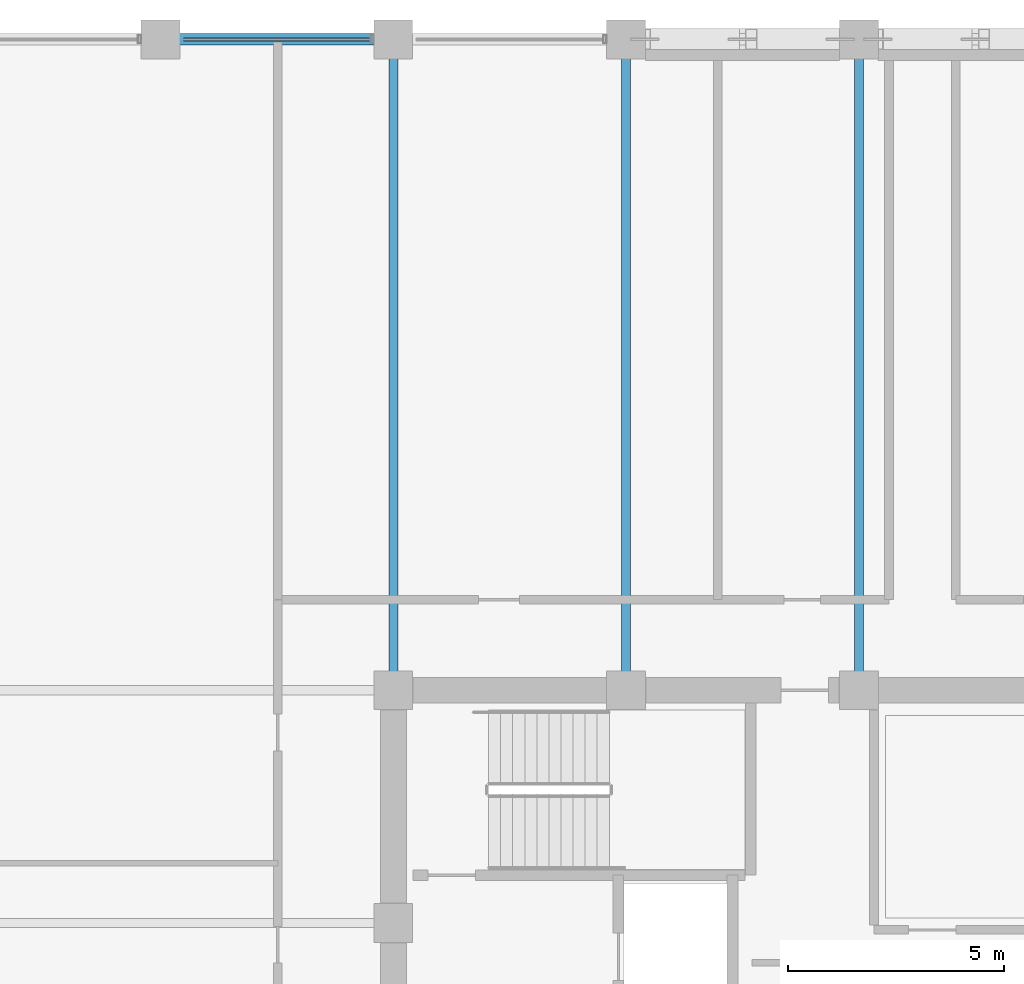
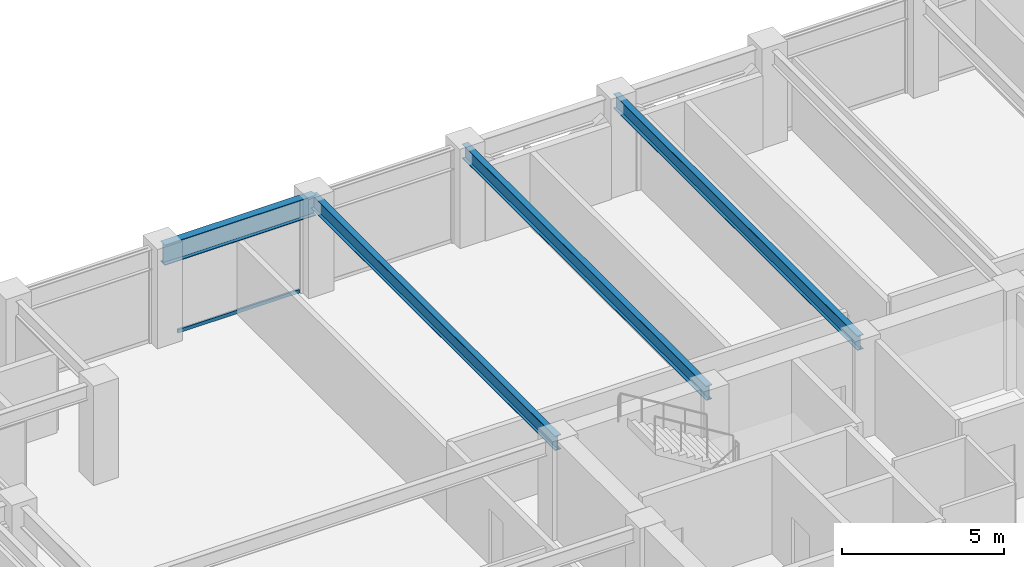
# One storey, part 16 of 28: 4 beams, 1 member, 1 element without a shape of its own.
"""IFC4 building model written with IfcOpenShell, lengths in metres."""

import ifcopenshell
import ifcopenshell.guid

model = None  # the IFC model being written
_history = None  # IfcOwnerHistory: only IFC2X3 demands one
_inside = {}  # id of a spatial element -> (the spatial element, [elements in it])
_under = {}  # id of a project, library or spatial element -> (it, [spatial elements below it])
_declared = {}  # id of a project -> (the project, [libraries it declares])
_typed = {}  # id of a type object -> (the type object, [elements of that type])
_made_of = {}  # id of a material, layer set ... -> (it, [elements and type objects made of it])


def new_model(schema):
    """Start an empty IFC model of exactly this schema.

    Asked for "IFC4X3", IfcOpenShell would pick the latest addendum, in which some entities
    have other attributes; the version numbers below select the first issue.
    IFC2X3 requires an IfcOwnerHistory on every rooted entity: one is made here for all.
    """
    global model, _history
    if schema == "IFC4X3":
        model = ifcopenshell.file(schema_version=(4, 3, 0, 0))
    else:
        model = ifcopenshell.file(schema=schema)
    _inside.clear()
    _under.clear()
    _declared.clear()
    _typed.clear()
    _made_of.clear()
    _history = None
    if model.schema == "IFC2X3":
        org = make("IfcOrganization", Name="unknown")
        user = make(
            "IfcPersonAndOrganization",
            ThePerson=make("IfcPerson", FamilyName="unknown"),
            TheOrganization=org,
        )
        app = make(
            "IfcApplication",
            ApplicationDeveloper=org,
            Version="unknown",
            ApplicationFullName="unknown",
            ApplicationIdentifier="unknown",
        )
        _history = make(
            "IfcOwnerHistory",
            OwningUser=user,
            OwningApplication=app,
            ChangeAction="ADDED",
            CreationDate=0,
        )
    return model


def make(cls, **values):
    """One entity of the class cls with the attributes given. An attribute that is None is left unset."""
    return model.create_entity(
        cls, **{name: value for name, value in values.items() if value is not None}
    )


def rooted(cls, **values):
    """An entity with a GlobalId (a new one), such as an element, a storey or a relation."""
    return make(cls, GlobalId=ifcopenshell.guid.new(), OwnerHistory=_history, **values)


def si_unit(unit_type, name, prefix=None):
    """IfcSIUnit, for example si_unit("LENGTHUNIT", "METRE", prefix="MILLI")."""
    return make("IfcSIUnit", UnitType=unit_type, Prefix=prefix, Name=name)


def assignment(units):
    """IfcUnitAssignment: the units of a project."""
    return None if units is None else make("IfcUnitAssignment", Units=units)


def point(xyz):
    """IfcCartesianPoint."""
    return None if xyz is None else make("IfcCartesianPoint", Coordinates=xyz)


def direction(xyz):
    """IfcDirection."""
    return None if xyz is None else make("IfcDirection", DirectionRatios=xyz)


def frame(location, z_axis=None, x_axis=None):
    """IfcAxis2Placement3D, a coordinate frame: its origin and axes. An axis left out is left unset."""
    return make(
        "IfcAxis2Placement3D",
        Location=point(location),
        Axis=direction(z_axis),
        RefDirection=direction(x_axis),
    )


def frame_2d(location, x_axis=None):
    """IfcAxis2Placement2D, a coordinate frame in the plane: its origin and x axis."""
    return make(
        "IfcAxis2Placement2D", Location=point(location), RefDirection=direction(x_axis)
    )


def origin():
    """The frame at (0, 0, 0) with its axes left unset."""
    return frame((0.0, 0.0, 0.0))


def origin_2d():
    """The frame at (0, 0) in the plane with its x axis left unset."""
    return frame_2d((0.0, 0.0))


def place(relative_to, where):
    """IfcLocalPlacement: puts the frame where relative to a parent placement (None: the world)."""
    return make(
        "IfcLocalPlacement", PlacementRelTo=relative_to, RelativePlacement=where
    )


def context(
    kind, dimensions, precision=None, world=None, true_north=None, identifier=None
):
    """IfcGeometricRepresentationContext, for example the 3D "Model" context."""
    return make(
        "IfcGeometricRepresentationContext",
        ContextIdentifier=identifier,
        ContextType=kind,
        CoordinateSpaceDimension=dimensions,
        Precision=precision,
        WorldCoordinateSystem=world,
        TrueNorth=true_north,
    )


def subcontext(parent, identifier, kind, view, scale=None):
    """IfcGeometricRepresentationSubContext, for example "Body" below "Model"."""
    return make(
        "IfcGeometricRepresentationSubContext",
        ContextIdentifier=identifier,
        ContextType=kind,
        ParentContext=parent,
        TargetScale=scale,
        TargetView=view,
    )


def project(units=None, contexts=None):
    """IfcProject with its units and contexts."""
    return rooted(
        "IfcProject",
        Name="project",
        RepresentationContexts=contexts,
        UnitsInContext=assignment(units),
    )


def spatial(cls, under=None, at=None, **own):
    """A site, building, storey or space (cls), placed at a placement, below another one or the project."""
    s = rooted(cls, ObjectPlacement=at, **own)
    if under is not None:
        _under.setdefault(under.id(), (under, []))[1].append(s)
    return s


def profile(cls, at=None, kind="AREA", **sizes):
    """A parametric profile (cls). Its sizes go by their IFC names, for example OverallWidth=200.0."""
    return make(cls, ProfileType=kind, Position=at, **sizes)


def hollow_rectangle(**sizes):
    """IfcRectangleHollowProfileDef."""
    return profile("IfcRectangleHollowProfileDef", **sizes)


def i_section(**sizes):
    """IfcIShapeProfileDef."""
    return profile("IfcIShapeProfileDef", **sizes)


def extrude(swept, where, along, depth):
    """IfcExtrudedAreaSolid: the profile swept, set in the frame where, extruded along a direction by depth."""
    return make(
        "IfcExtrudedAreaSolid",
        SweptArea=swept,
        Position=where,
        ExtrudedDirection=direction(along),
        Depth=depth,
    )


def shape(context_of_items, identifier, shape_type, items):
    """IfcShapeRepresentation: the items that make up one representation, for example the "Body"."""
    return make(
        "IfcShapeRepresentation",
        ContextOfItems=context_of_items,
        RepresentationIdentifier=identifier,
        RepresentationType=shape_type,
        Items=items,
    )


def material(Name=None, Category=None):
    """IfcMaterial."""
    return make("IfcMaterial", Name=Name, Category=Category)


def layer(
    of_material, thickness, ventilated=None, Name=None, Category=None, Priority=None
):
    """IfcMaterialLayer: one layer of a wall or slab, of a material (None: an air gap)."""
    return make(
        "IfcMaterialLayer",
        Material=of_material,
        LayerThickness=thickness,
        IsVentilated=ventilated,
        Name=Name,
        Category=Category,
        Priority=Priority,
    )


def layer_set(layers, Name=None):
    """IfcMaterialLayerSet."""
    return make("IfcMaterialLayerSet", MaterialLayers=layers, LayerSetName=Name)


def material_profile(
    of_material, cross_section, Name=None, Category=None, Priority=None
):
    """IfcMaterialProfile: a cross section and its material."""
    return make(
        "IfcMaterialProfile",
        Name=Name,
        Material=of_material,
        Profile=cross_section,
        Priority=Priority,
        Category=Category,
    )


def profile_set(profiles, Name=None, composite=None):
    """IfcMaterialProfileSet."""
    return make(
        "IfcMaterialProfileSet",
        Name=Name,
        MaterialProfiles=profiles,
        CompositeProfile=composite,
    )


def made_of(thing, what):
    """Note that an element or type object is made of a material, layer set ...; save() writes the relation."""
    if what is not None:
        _made_of.setdefault(what.id(), (what, []))[1].append(thing)
    return thing


def type_object(cls, material=None, **own):
    """A type object (cls), such as IfcWallType, which elements share."""
    return made_of(rooted(cls, **own), material)


def element(
    cls,
    number,
    at=None,
    inside=None,
    cuts=None,
    type_object=None,
    material=None,
    context=None,
    identifier="Body",
    shape_type=None,
    held_by="IfcProductDefinitionShape",
    body=None,
    shapes=None,
    **own,
):
    """One element of the class cls, such as IfcWall. Its Tag is "e" and its number.

    at: its placement. inside: the storey or other place that contains it. cuts: it is an
    opening in that element (IfcRelVoidsElement). A single representation is given by context,
    identifier, shape_type and body (its items); several are given by shapes. held_by: the class
    of the entity that holds the representations. save() writes the other relations.
    """
    e = rooted(cls, Tag="e%d" % number, ObjectPlacement=at, **own)
    if body is not None:
        shapes = [shape(context, identifier, shape_type, body)]
    if shapes is not None:
        e.Representation = make(held_by, Representations=shapes)
    if inside is not None:
        _inside.setdefault(inside.id(), (inside, []))[1].append(e)
    if cuts is not None:
        rooted(
            "IfcRelVoidsElement", RelatingBuildingElement=cuts, RelatedOpeningElement=e
        )
    if type_object is not None:
        _typed.setdefault(type_object.id(), (type_object, []))[1].append(e)
    return made_of(e, material)


def aggregate(whole, parts):
    """IfcRelAggregates: a whole, such as a stair, and the parts it consists of."""
    return rooted("IfcRelAggregates", RelatingObject=whole, RelatedObjects=parts)


def save(model, path):
    """Write the relations noted so far, then the file.

    IfcRelAggregates (storeys below a building ...), IfcRelContainedInSpatialStructure (elements
    in a storey), IfcRelDefinesByType, IfcRelAssociatesMaterial and IfcRelDeclares: one each for
    every whole, place, type object, material and project.
    """
    for whole, parts in _under.values():
        aggregate(whole, parts)
    for where, things in _inside.values():
        rooted(
            "IfcRelContainedInSpatialStructure",
            RelatedElements=things,
            RelatingStructure=where,
        )
    for kind, things in _typed.values():
        rooted("IfcRelDefinesByType", RelatedObjects=things, RelatingType=kind)
    for what, things in _made_of.values():
        rooted("IfcRelAssociatesMaterial", RelatedObjects=things, RelatingMaterial=what)
    for by, libraries in _declared.values():
        rooted("IfcRelDeclares", RelatingContext=by, RelatedDefinitions=libraries)
    model.write(path)


model = new_model("IFC4")

# Units and contexts
model_context = context("Model", 3, precision=1e-05, world=origin(), true_north=direction((0.0, 1.0)))
body_context = subcontext(model_context, "Body", "Model", "MODEL_VIEW")
ifc_project = project(units=[si_unit("LENGTHUNIT", "METRE"), si_unit("AREAUNIT", "SQUARE_METRE"), si_unit("VOLUMEUNIT", "CUBIC_METRE"), si_unit("PLANEANGLEUNIT", "RADIAN"), si_unit("MASSUNIT", "GRAM", prefix="KILO")], contexts=[model_context])

# Site, building, storey
site_placement = place(None, origin())
site = spatial("IfcSite", under=ifc_project, at=site_placement, CompositionType="ELEMENT")
building_placement = place(site_placement, origin())
building = spatial("IfcBuilding", under=site, at=building_placement, Name="Surkhivell Harbour Commons", CompositionType="ELEMENT")
storey_placement = place(building_placement, frame((0.0, 0.0, 182.25)))
storey = spatial("IfcBuildingStorey", under=building, at=storey_placement, Name="L47", CompositionType="ELEMENT", Elevation=182.25)

# Beams
ifc_material_1 = material(Name="Steel S355", Category="steel")
ifc_material_profile_1 = material_profile(ifc_material_1, i_section(OverallWidth=0.2119140625, OverallDepth=0.5439453125, WebThickness=0.0126953125, FlangeThickness=0.021240234375, at=origin_2d()), Name="UB533x210x122")
ifc_profile_set_1 = profile_set([ifc_material_profile_1], Name="Steel S355")
beam_type_1 = type_object("IfcBeamType", Name="BM-GRD-533A", PredefinedType="BEAM", material=ifc_profile_set_1)
for number, where, z_axis, x_axis, name in (
    (1, (-10.800048828125, 10.800048828125, 3.298095703125), (0.0, 1.0, 0.0), (-1.0, 0.0, 0.0), "L47 Floor Girder (-10.8,10.8)"),
    (2, (-5.39990234375, 10.800048828125, 3.298095703125), (0.0, 1.0, 0.0), (-1.0, 0.0, 0.0), "L47 Floor Girder (-5.4,10.8)"),
    (3, (0.0, 10.800048828125, 3.298095703125), (0.0, 1.0, 0.0), (-1.0, 0.0, 0.0), "L47 Floor Girder (0.0,10.8)"),
):
    element("IfcBeam", number, at=place(storey_placement, frame(where, z_axis=z_axis, x_axis=x_axis)), inside=storey, type_object=beam_type_1, Name=name, PredefinedType="BEAM", context=body_context, shape_type="SweptSolid", body=[
        extrude(i_section(OverallWidth=0.2119140625, OverallDepth=0.5439453125, WebThickness=0.0126953125, FlangeThickness=0.021240234375, at=origin_2d()), origin(), (0.0, 0.0, 1.0), 15.099853515625),
    ])
ifc_material_profile_2 = material_profile(ifc_material_1, i_section(OverallWidth=0.26806640625, OverallDepth=0.77001953125, WebThickness=0.015625, FlangeThickness=0.025390625, at=origin_2d()), Name="UB762x267x197")
ifc_profile_set_2 = profile_set([ifc_material_profile_2], Name="Steel S355")
beam_type_2 = type_object("IfcBeamType", Name="BM-SPN-762", PredefinedType="SPANDREL", material=ifc_profile_set_2)
beam_placement = place(storey_placement, frame((-16.199951171875, 25.89990234375, 3.18505859375), z_axis=(1.0, 0.0, 0.0), x_axis=(0.0, 1.0, 0.0)))
element("IfcBeam", 4, at=beam_placement, inside=storey, type_object=beam_type_2, Name="L47 Tube Spandrel (-16.2,25.9)", PredefinedType="SPANDREL", context=body_context, shape_type="SweptSolid", body=[
    extrude(i_section(OverallWidth=0.26806640625, OverallDepth=0.77001953125, WebThickness=0.015625, FlangeThickness=0.025390625, at=origin_2d()), origin(), (0.0, 0.0, 1.0), 5.39990234375),
])

# Curtain wall, member
ifc_material_2 = material(Name="Anodised pale-metal aluminium and insulated glazing", Category="aluminium")
ifc_layer = layer(ifc_material_2, 0.18994140625)
ifc_layer_set = layer_set([ifc_layer], Name="Anodised pale-metal aluminium and insulated glazing")
curtain_wall_type = type_object("IfcCurtainWallType", Name="CW-SYS-Z3", PredefinedType="NOTDEFINED", material=ifc_layer_set)
curtain_wall_placement = place(storey_placement, origin())
curtain_wall = element("IfcCurtainWall", 5, at=curtain_wall_placement, inside=storey, type_object=curtain_wall_type, Name="L47 Curtain Wall CW-L47-E07S2", PredefinedType="NOTDEFINED")
ifc_material_3 = material(Name="Champagne anodised aluminium alloy 6063-T6", Category="aluminium")
ifc_material_profile_3 = material_profile(ifc_material_3, hollow_rectangle(XDim=0.070068359375, YDim=0.1298828125, WallThickness=0.00341796875, at=origin_2d()), Name="ALU-TRAN-70x130")
ifc_profile_set_3 = profile_set([ifc_material_profile_3], Name="Champagne anodised aluminium alloy 6063-T6")
member_type = type_object("IfcMemberType", Name="CWT-130", PredefinedType="USERDEFINED", material=ifc_profile_set_3)
member_placement = place(storey_placement, frame((-11.326904296875, 25.89990234375, 0.06494140625), z_axis=(-1.0, 0.0, 0.0), x_axis=(0.0, -1.0, 0.0)))
member = element("IfcMember", 6, at=member_placement, type_object=member_type, Name="CW-Z3 transom 2.1", ObjectType="TRANSOM", PredefinedType="USERDEFINED", context=body_context, shape_type="SweptSolid", body=[
    extrude(hollow_rectangle(XDim=0.070068359375, YDim=0.1298828125, WallThickness=0.00341796875, at=origin_2d()), origin(), (0.0, 0.0, 1.0), 4.34619140625),
])
aggregate(curtain_wall, [member])

save(model, "model.ifc")
